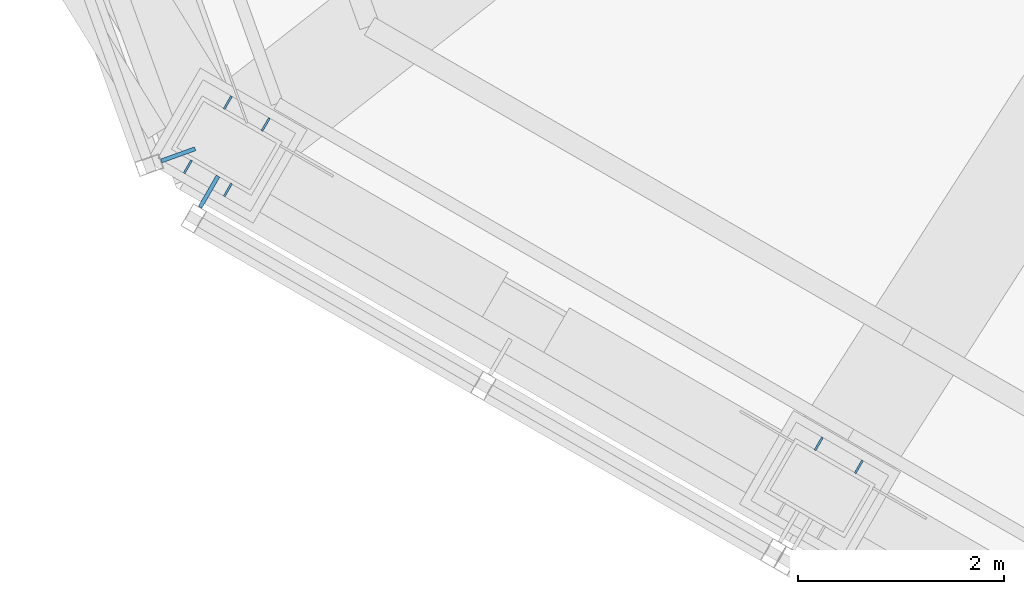
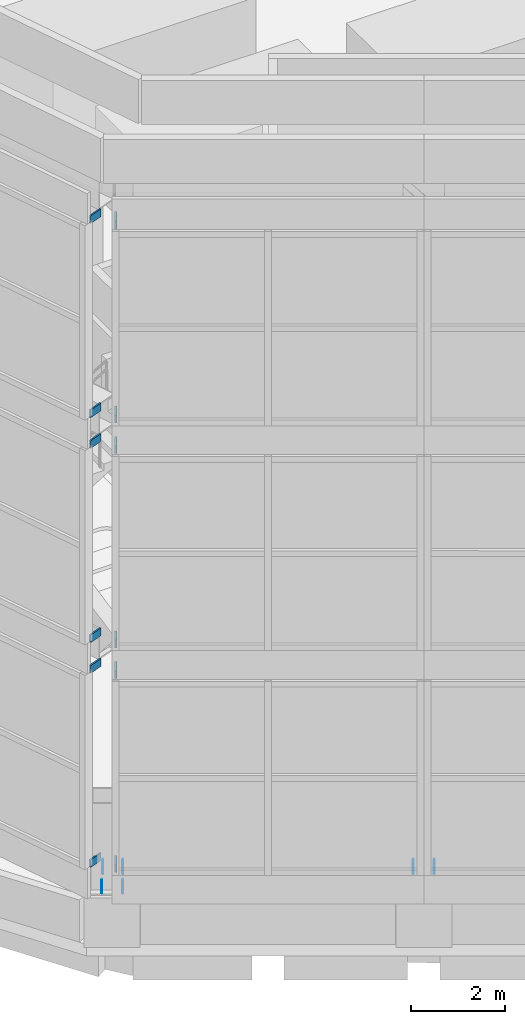
# One storey, part 29 of 46: 18 discrete accessories.
"""IFC4 building model written with IfcOpenShell, lengths in metres."""

from ifc_helpers import new_model, si_unit, direction, frame, origin, origin_2d, place, context, subcontext, project, spatial, rectangle, extrude, material, layer, layer_set, type_object, element, save


model = new_model("IFC4")

# Units and contexts
model_context = context("Model", 3, precision=1e-05, world=origin(), true_north=direction((0.0, 1.0)))
body_context = subcontext(model_context, "Body", "Model", "MODEL_VIEW")
ifc_project = project(units=[si_unit("LENGTHUNIT", "METRE"), si_unit("AREAUNIT", "SQUARE_METRE"), si_unit("VOLUMEUNIT", "CUBIC_METRE"), si_unit("PLANEANGLEUNIT", "RADIAN"), si_unit("MASSUNIT", "GRAM", prefix="KILO")], contexts=[model_context])

# Site, building, storey
site_placement = place(None, origin())
site = spatial("IfcSite", under=ifc_project, at=site_placement, CompositionType="ELEMENT")
building_placement = place(site_placement, origin())
building = spatial("IfcBuilding", under=site, at=building_placement, Name="Vanh Sen Convention Tower", CompositionType="ELEMENT")
storey_placement = place(building_placement, frame((0.0, 0.0, 305.0)))
storey = spatial("IfcBuildingStorey", under=building, at=storey_placement, Name="Roof level", CompositionType="ELEMENT", Elevation=305.0)

# Discrete accessories
ifc_material_1 = material(Name="Steel S355", Category="steel")
ifc_layer = layer(ifc_material_1, 0.02001953125)
ifc_layer_set = layer_set([ifc_layer], Name="Steel S355")
discrete_accessory_type_1 = type_object("IfcDiscreteAccessoryType", Name="Crown base plate stiffener 140 x 300 x 20", PredefinedType="USERDEFINED", material=ifc_layer_set)
for number, where, z_axis, x_axis, name in (
    (1, (-15.55712890625, -12.302001953125, 1.34521484375), (0.0, 0.0, 1.0), (0.5, 0.866025403784, 0.0), "STIFFENER crown column 13 rib 1"),
    (2, (-15.92529296875, -12.089599609375, 1.34521484375), (0.0, 0.0, 1.0), (0.5, 0.866025403784, 0.0), "STIFFENER crown column 13 rib 2"),
    (3, (-15.924560546875, -12.938720703125, 1.34521484375), (0.0, 0.0, 1.0), (0.5, 0.866025403784, 0.0), "STIFFENER crown column 13 rib 3"),
    (4, (-16.314208984375, -12.713623046875, 1.34521484375), (0.0, 0.0, 1.0), (0.5, 0.866025403784, 0.0), "STIFFENER crown column 13 rib 4"),
    (5, (-9.78662109375, -15.6337890625, 1.34521484375), (0.0, 0.0, 1.0), (0.5, 0.866025403784, 0.0), "STIFFENER crown column 14 rib 1"),
    (6, (-10.17626953125, -15.40869140625, 1.34521484375), (0.0, 0.0, 1.0), (0.5, 0.866025403784, 0.0), "STIFFENER crown column 14 rib 2"),
):
    element("IfcDiscreteAccessory", number, at=place(storey_placement, frame(where, z_axis=z_axis, x_axis=x_axis)), inside=storey, type_object=discrete_accessory_type_1, Name=name, ObjectType="STIFFENER", PredefinedType="USERDEFINED", context=body_context, shape_type="SweptSolid", body=[
        extrude(rectangle(XDim=0.14501953125, YDim=0.02001953125, at=origin_2d()), origin(), (0.0, 0.0, 1.0), 0.300048828125),
    ])
ifc_material_2 = material(Name="Steel S355", Category="steel")
discrete_accessory_type_2 = type_object("IfcDiscreteAccessoryType", Name="Crown screen bracket 40 x 200", PredefinedType="BRACKET", material=ifc_material_2)
for number, where, z_axis, x_axis, name in (
    (7, (-16.408203125, -12.597900390625, 2.044921875), (0.0, 0.0, 1.0), (-0.941020805038, -0.338348702503, 0.0), "Crown screen bracket 12-1-3"),
    (8, (-16.408203125, -12.597900390625, 7.11328125), (0.0, 0.0, 1.0), (-0.941020805038, -0.338348702503, 0.0), "Crown screen bracket 12-1-6"),
    (9, (-16.408203125, -12.597900390625, 7.9130859375), (0.0, 0.0, 1.0), (-0.941020805038, -0.338348702503, 0.0), "Crown screen bracket 12-2-3"),
    (10, (-16.408203125, -12.597900390625, 12.98193359375), (0.0, 0.0, 1.0), (-0.941020805038, -0.338348702503, 0.0), "Crown screen bracket 12-2-6"),
    (11, (-16.408203125, -12.597900390625, 13.78173828125), (0.0, 0.0, 1.0), (-0.941020805038, -0.338348702503, 0.0), "Crown screen bracket 12-3-3"),
    (12, (-16.408203125, -12.597900390625, 18.85009765625), (0.0, 0.0, 1.0), (-0.941020805038, -0.338348702503, 0.0), "Crown screen bracket 12-3-6"),
    (13, (-16.1083984375, -12.956787109375, 2.044921875), (0.0, 0.0, 1.0), (-0.500004534492, -0.866022785779, 0.0), "Crown screen bracket 13-1-1"),
    (14, (-16.1083984375, -12.956787109375, 7.11328125), (0.0, 0.0, 1.0), (-0.500004534492, -0.866022785779, 0.0), "Crown screen bracket 13-1-4"),
    (15, (-16.1083984375, -12.956787109375, 7.9130859375), (0.0, 0.0, 1.0), (-0.500004534492, -0.866022785779, 0.0), "Crown screen bracket 13-2-1"),
    (16, (-16.1083984375, -12.956787109375, 12.98193359375), (0.0, 0.0, 1.0), (-0.500004534492, -0.866022785779, 0.0), "Crown screen bracket 13-2-4"),
    (17, (-16.1083984375, -12.956787109375, 13.78173828125), (0.0, 0.0, 1.0), (-0.500004534492, -0.866022785779, 0.0), "Crown screen bracket 13-3-1"),
    (18, (-16.1083984375, -12.956787109375, 18.85009765625), (0.0, 0.0, 1.0), (-0.500004534492, -0.866022785779, 0.0), "Crown screen bracket 13-3-4"),
):
    element("IfcDiscreteAccessory", number, at=place(storey_placement, frame(where, z_axis=z_axis, x_axis=x_axis)), inside=storey, type_object=discrete_accessory_type_2, Name=name, PredefinedType="BRACKET", context=body_context, shape_type="SweptSolid", body=[
        extrude(rectangle(XDim=0.35009765625, YDim=0.0400390625, at=origin_2d()), origin(), (0.0, 0.0, 1.0), 0.199951171875),
    ])

save(model, "model.ifc")
